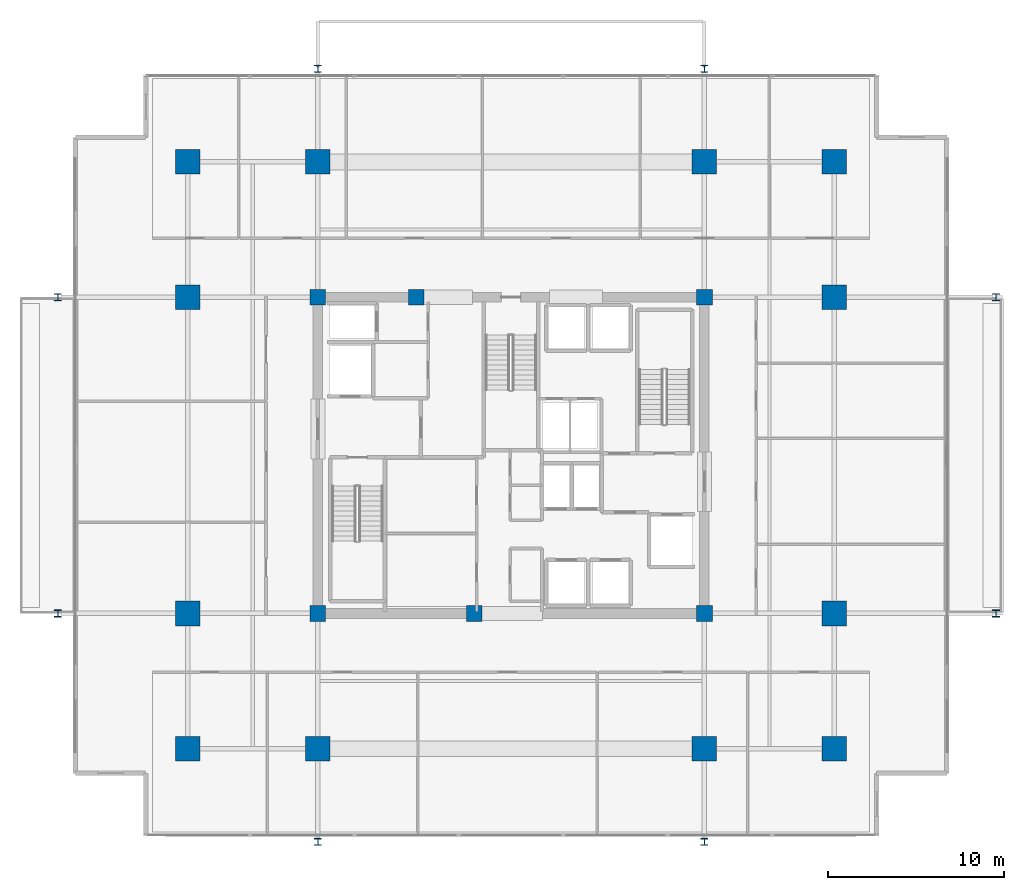
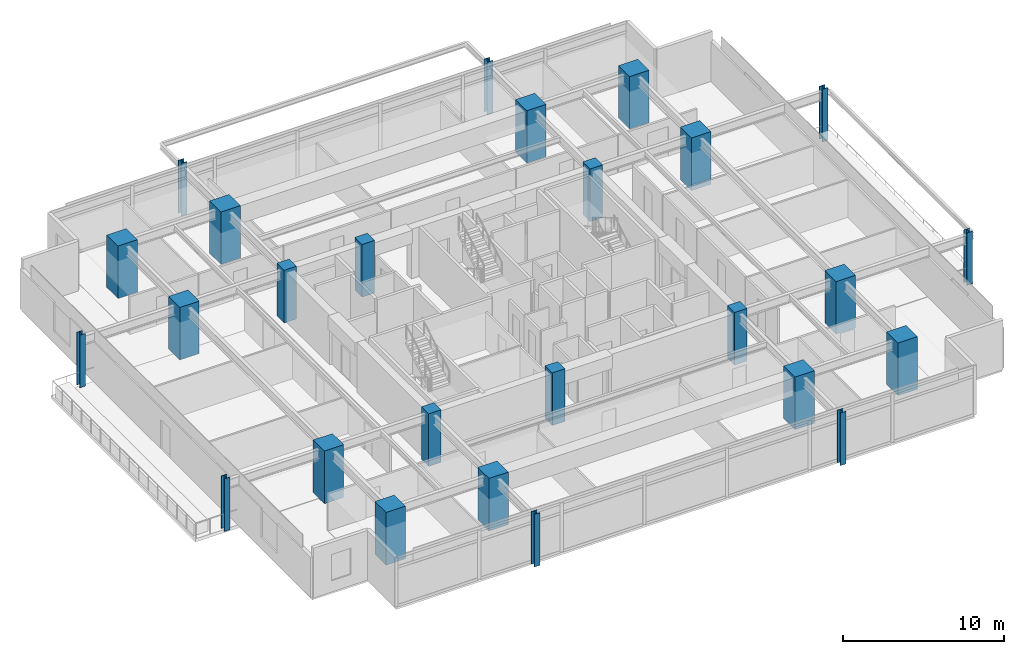
# One storey, part 1 of 21: 26 columns.
"""IFC4 building model written with IfcOpenShell, lengths in metres."""

from ifc_helpers import new_model, si_unit, direction, frame, origin, origin_2d, place, context, subcontext, project, spatial, rectangle, i_section, extrude, material, material_profile, profile_set, type_object, element, save


model = new_model("IFC4")

# Units and contexts
model_context = context("Model", 3, precision=1e-05, world=origin(), true_north=direction((0.0, 1.0)))
body_context = subcontext(model_context, "Body", "Model", "MODEL_VIEW")
ifc_project = project(units=[si_unit("LENGTHUNIT", "METRE"), si_unit("AREAUNIT", "SQUARE_METRE"), si_unit("VOLUMEUNIT", "CUBIC_METRE"), si_unit("PLANEANGLEUNIT", "RADIAN"), si_unit("MASSUNIT", "GRAM", prefix="KILO")], contexts=[model_context])

# Site, building, storey
site_placement = place(None, origin())
site = spatial("IfcSite", under=ifc_project, at=site_placement, CompositionType="ELEMENT")
building_placement = place(site_placement, origin())
building = spatial("IfcBuilding", under=site, at=building_placement, Name="Kovane Verandah Tower", CompositionType="ELEMENT")
storey_placement = place(building_placement, frame((0.0, 0.0, 205.199951171875)))
storey = spatial("IfcBuildingStorey", under=building, at=storey_placement, Name="L47", CompositionType="ELEMENT", Elevation=205.199951171875)

# Columns
ifc_material_1 = material(Name="Concrete C60/75", Category="concrete")
ifc_material_profile_1 = material_profile(ifc_material_1, rectangle(XDim=1.39990234375, YDim=1.39990234375, at=origin_2d()), Name="RC1400x1400")
ifc_profile_set_1 = profile_set([ifc_material_profile_1], Name="Concrete C60/75")
column_type_1 = type_object("IfcColumnType", Name="COL-RC1400", PredefinedType="COLUMN", material=ifc_profile_set_1)
for number, where, z_axis, x_axis, name in (
    (1, (29.0, 10.800048828125, 0.0), (0.0, 0.0, 1.0), (1.0, 0.0, 0.0), "L47 Tower Mega-Column MC-S1"),
    (2, (51.0, 10.800048828125, 0.0), (0.0, 0.0, 1.0), (1.0, 0.0, 0.0), "L47 Tower Mega-Column MC-S2"),
    (3, (29.0, 44.199951171875, 0.0), (0.0, 0.0, 1.0), (1.0, 0.0, 0.0), "L47 Tower Mega-Column MC-N1"),
    (4, (51.0, 44.199951171875, 0.0), (0.0, 0.0, 1.0), (1.0, 0.0, 0.0), "L47 Tower Mega-Column MC-N2"),
    (5, (21.60009765625, 18.5, 0.0), (0.0, 0.0, 1.0), (1.0, 0.0, 0.0), "L47 Tower Mega-Column MC-W1"),
    (6, (21.60009765625, 36.5, 0.0), (0.0, 0.0, 1.0), (1.0, 0.0, 0.0), "L47 Tower Mega-Column MC-W2"),
    (7, (58.39990234375, 18.5, 0.0), (0.0, 0.0, 1.0), (1.0, 0.0, 0.0), "L47 Tower Mega-Column MC-E1"),
    (8, (58.39990234375, 36.5, 0.0), (0.0, 0.0, 1.0), (1.0, 0.0, 0.0), "L47 Tower Mega-Column MC-E2"),
    (9, (21.60009765625, 10.800048828125, 0.0), (0.0, 0.0, 1.0), (1.0, 0.0, 0.0), "L47 Tower Mega-Column MC-SW"),
    (10, (58.39990234375, 10.800048828125, 0.0), (0.0, 0.0, 1.0), (1.0, 0.0, 0.0), "L47 Tower Mega-Column MC-SE"),
    (11, (21.60009765625, 44.199951171875, 0.0), (0.0, 0.0, 1.0), (1.0, 0.0, 0.0), "L47 Tower Mega-Column MC-NW"),
    (12, (58.39990234375, 44.199951171875, 0.0), (0.0, 0.0, 1.0), (1.0, 0.0, 0.0), "L47 Tower Mega-Column MC-NE"),
):
    element("IfcColumn", number, at=place(storey_placement, frame(where, z_axis=z_axis, x_axis=x_axis)), inside=storey, type_object=column_type_1, Name=name, PredefinedType="COLUMN", context=body_context, shape_type="SweptSolid", body=[
        extrude(rectangle(XDim=1.39990234375, YDim=1.39990234375, at=origin_2d()), origin(), (0.0, 0.0, 1.0), 4.0),
    ])
ifc_material_2 = material(Name="Steel S460", Category="steel")
ifc_material_profile_2 = material_profile(ifc_material_2, i_section(OverallWidth=0.403076171875, OverallDepth=0.406494140625, WebThickness=0.026611328125, FlangeThickness=0.04296875, FilletRadius=0.01513671875, at=origin_2d()), Name="UC356x406x340")
ifc_profile_set_2 = profile_set([ifc_material_profile_2], Name="Steel S460")
column_type_2 = type_object("IfcColumnType", Name="COL-UC340", PredefinedType="COLUMN", material=ifc_profile_set_2)
for number, where, z_axis, x_axis, name in (
    (13, (14.199951171875, 18.5, 0.0), (0.0, 0.0, 1.0), (1.0, 0.0, 0.0), "L47 Verandah Perimeter Column VC-W1"),
    (14, (14.199951171875, 36.5, 0.0), (0.0, 0.0, 1.0), (1.0, 0.0, 0.0), "L47 Verandah Perimeter Column VC-W2"),
    (15, (67.60009765625, 18.5, 0.0), (0.0, 0.0, 1.0), (1.0, 0.0, 0.0), "L47 Verandah Perimeter Column VC-E1"),
    (16, (67.60009765625, 36.5, 0.0), (0.0, 0.0, 1.0), (1.0, 0.0, 0.0), "L47 Verandah Perimeter Column VC-E2"),
    (17, (29.0, 5.5, 0.0), (0.0, 0.0, 1.0), (1.0, 0.0, 0.0), "L47 Verandah Perimeter Column VC-S1"),
    (18, (51.0, 5.5, 0.0), (0.0, 0.0, 1.0), (1.0, 0.0, 0.0), "L47 Verandah Perimeter Column VC-S2"),
    (19, (29.0, 49.5, 0.0), (0.0, 0.0, 1.0), (1.0, 0.0, 0.0), "L47 Verandah Perimeter Column VC-N1"),
    (20, (51.0, 49.5, 0.0), (0.0, 0.0, 1.0), (1.0, 0.0, 0.0), "L47 Verandah Perimeter Column VC-N2"),
):
    element("IfcColumn", number, at=place(storey_placement, frame(where, z_axis=z_axis, x_axis=x_axis)), inside=storey, type_object=column_type_2, Name=name, PredefinedType="COLUMN", context=body_context, shape_type="SweptSolid", body=[
        extrude(i_section(OverallWidth=0.403076171875, OverallDepth=0.406494140625, WebThickness=0.026611328125, FlangeThickness=0.04296875, FilletRadius=0.01513671875, at=origin_2d()), origin(), (0.0, 0.0, 1.0), 4.0),
    ])
ifc_material_profile_3 = material_profile(ifc_material_1, rectangle(XDim=0.89990234375, YDim=0.89990234375, at=origin_2d()), Name="RC900x900")
ifc_profile_set_3 = profile_set([ifc_material_profile_3], Name="Concrete C60/75")
column_type_3 = type_object("IfcColumnType", Name="PIL-RC900", PredefinedType="PILASTER", material=ifc_profile_set_3)
for number, where, z_axis, x_axis, name in (
    (21, (29.0, 18.5, 0.0), (0.0, 0.0, 1.0), (1.0, 0.0, 0.0), "L47 Core Pilaster CP-SW"),
    (22, (51.0, 18.5, 0.0), (0.0, 0.0, 1.0), (1.0, 0.0, 0.0), "L47 Core Pilaster CP-SE"),
    (23, (29.0, 36.5, 0.0), (0.0, 0.0, 1.0), (1.0, 0.0, 0.0), "L47 Core Pilaster CP-NW"),
    (24, (51.0, 36.5, 0.0), (0.0, 0.0, 1.0), (1.0, 0.0, 0.0), "L47 Core Pilaster CP-NE"),
    (25, (37.89990234375, 18.5, 0.0), (0.0, 0.0, 1.0), (1.0, 0.0, 0.0), "L47 Core Pilaster CP-S"),
    (26, (34.60009765625, 36.5, 0.0), (0.0, 0.0, 1.0), (1.0, 0.0, 0.0), "L47 Core Pilaster CP-N"),
):
    element("IfcColumn", number, at=place(storey_placement, frame(where, z_axis=z_axis, x_axis=x_axis)), inside=storey, type_object=column_type_3, Name=name, PredefinedType="PILASTER", context=body_context, shape_type="SweptSolid", body=[
        extrude(rectangle(XDim=0.89990234375, YDim=0.89990234375, at=origin_2d()), origin(), (0.0, 0.0, 1.0), 4.0),
    ])

save(model, "model.ifc")
